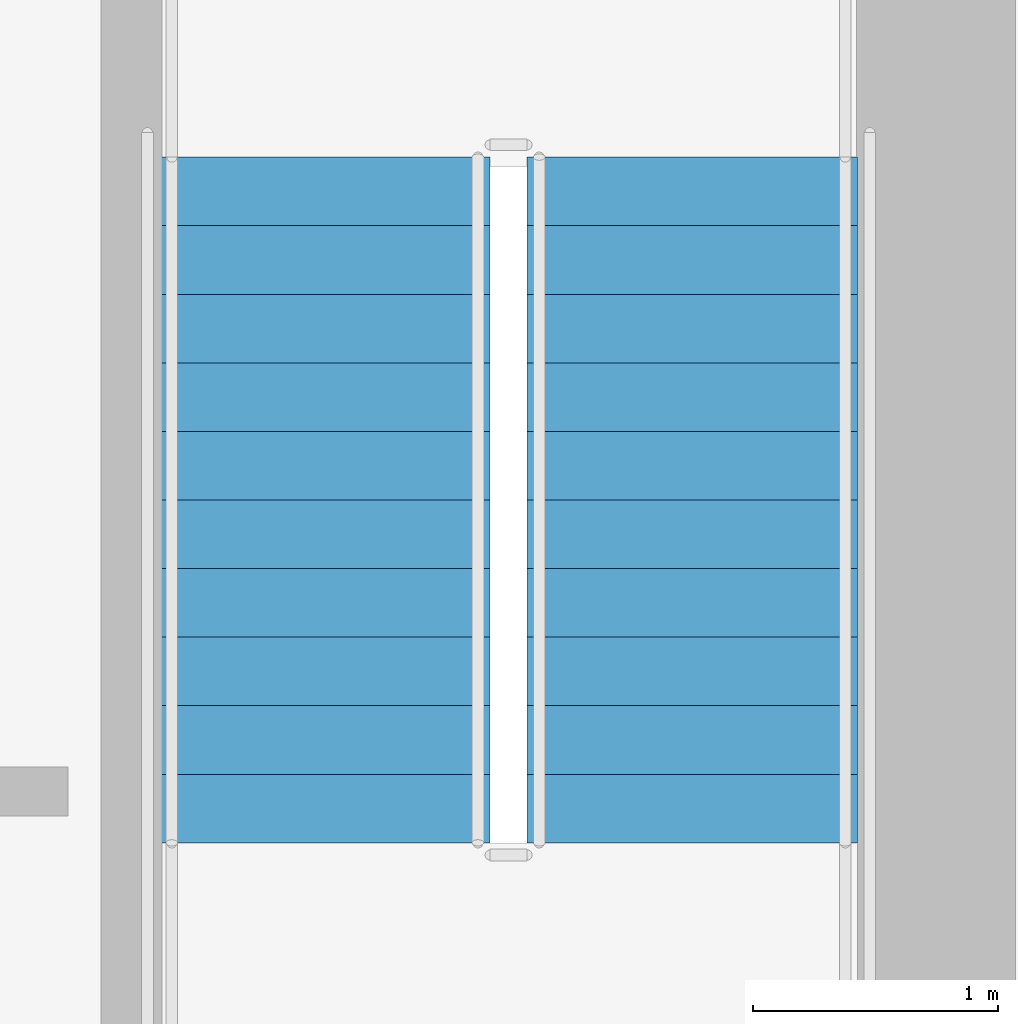
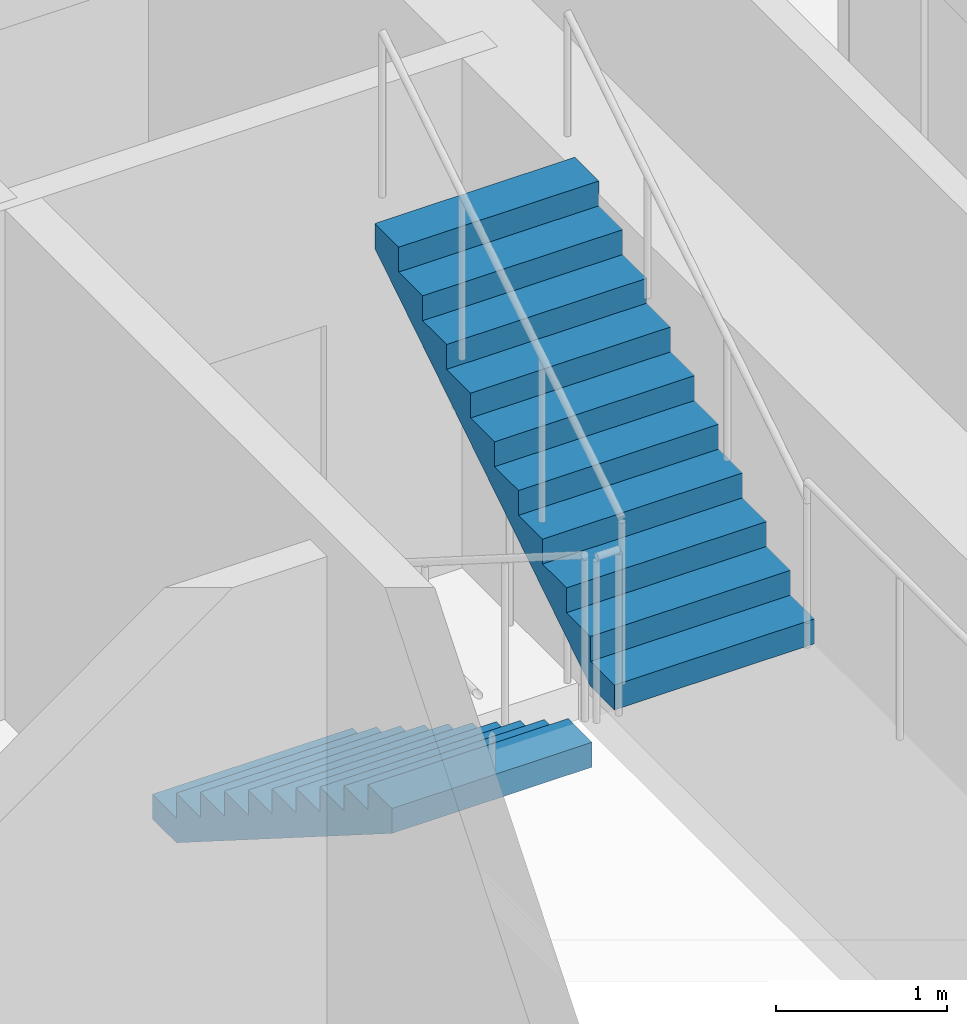
# One storey, part 9 of 11: 2 stair flights, 1 element without a shape of its own.
"""IFC4 building model written with IfcOpenShell, lengths in metres."""

from ifc_helpers import new_model, si_unit, direction, frame, origin, place, context, subcontext, project, spatial, polyline, outline, extrude, material, type_object, element, aggregate, save


model = new_model("IFC4")

# Units and contexts
model_context = context("Model", 3, precision=1e-05, world=origin(), true_north=direction((0.0, 1.0)))
body_context = subcontext(model_context, "Body", "Model", "MODEL_VIEW")
ifc_project = project(units=[si_unit("LENGTHUNIT", "METRE"), si_unit("AREAUNIT", "SQUARE_METRE"), si_unit("VOLUMEUNIT", "CUBIC_METRE"), si_unit("PLANEANGLEUNIT", "RADIAN"), si_unit("MASSUNIT", "GRAM", prefix="KILO")], contexts=[model_context])

# Site, building, storey
site_placement = place(None, origin())
site = spatial("IfcSite", under=ifc_project, at=site_placement, CompositionType="ELEMENT")
building_placement = place(site_placement, origin())
building = spatial("IfcBuilding", under=site, at=building_placement, Name="Voryun Gate Residences", CompositionType="ELEMENT")
storey_placement = place(building_placement, frame((0.0, 0.0, 302.89990234375)))
storey = spatial("IfcBuildingStorey", under=building, at=storey_placement, Name="L75", CompositionType="ELEMENT", Elevation=302.89990234375)

# Stair, stair flights
ifc_material_1 = material(Name="Concrete C40/50", Category="concrete")
stair_type = type_object("IfcStairType", Name="STR_CORE_DOGLEG_1350", PredefinedType="HALF_TURN_STAIR", material=ifc_material_1)
stair_placement = place(storey_placement, origin())
stair = element("IfcStair", 1, at=stair_placement, inside=storey, type_object=stair_type, Name="L75 Special Escape Stair ST-E1", PredefinedType="HALF_TURN_STAIR")
ifc_material_2 = material(Name="Concrete C40/50", Category="concrete")
stair_flight_type = type_object("IfcStairFlightType", Name="FLT_CORE_1350", PredefinedType="STRAIGHT", material=ifc_material_2)
stair_flight_1_placement = place(storey_placement, frame((16.64990234375, -0.800048828125, 0.0), z_axis=(0.0, 0.0, 1.0), x_axis=(0.0, -1.0, 0.0)))
stair_flight_1 = element("IfcStairFlight", 2, at=stair_flight_1_placement, type_object=stair_flight_type, Name="ST-E1 flight 1", NumberOfRisers=11, NumberOfTreads=10, PredefinedType="STRAIGHT", RiserHeight=0.177272727, TreadLength=0.28, context=body_context, shape_type="SweptSolid", body=[
    extrude(outline(polyline([(0.0, 0.0), (0.0, 0.17724609375), (0.280029296875, 0.17724609375), (0.280029296875, 0.3544921875), (0.56005859375, 0.3544921875), (0.56005859375, 0.53173828125), (0.840087890625, 0.53173828125), (0.840087890625, 0.708984375), (1.1201171875, 0.708984375), (1.1201171875, 0.886474609375), (1.39990234375, 0.886474609375), (1.39990234375, 1.063720703125), (1.679931640625, 1.063720703125), (1.679931640625, 1.240966796875), (1.9599609375, 1.240966796875), (1.9599609375, 1.418212890625), (2.239990234375, 1.418212890625), (2.239990234375, 1.595458984375), (2.52001953125, 1.595458984375), (2.52001953125, 1.772705078125), (2.800048828125, 1.772705078125), (2.800048828125, 1.949951171875), (2.800048828125, 1.59521484375), (0.2802734375, 0.0), (0.0, 0.0)])), frame((0.0, 0.675048828125, 0.0), z_axis=(0.0, -1.0, 0.0), x_axis=(1.0, 0.0, 0.0)), (0.0, 0.0, 1.0), 1.35009765625),
])
stair_flight_2_placement = place(storey_placement, frame((18.14990234375, -3.60009765625, 1.9501953125), z_axis=(0.0, 0.0, 1.0), x_axis=(0.0, 1.0, 0.0)))
stair_flight_2 = element("IfcStairFlight", 3, at=stair_flight_2_placement, type_object=stair_flight_type, Name="ST-E1 flight 2", NumberOfRisers=11, NumberOfTreads=10, PredefinedType="STRAIGHT", RiserHeight=0.177272727, TreadLength=0.28, context=body_context, shape_type="SweptSolid", body=[
    extrude(outline(polyline([(0.0, 0.0), (0.0, 0.17724609375), (0.280029296875, 0.17724609375), (0.280029296875, 0.3544921875), (0.56005859375, 0.3544921875), (0.56005859375, 0.53173828125), (0.840087890625, 0.53173828125), (0.840087890625, 0.708984375), (1.1201171875, 0.708984375), (1.1201171875, 0.886474609375), (1.39990234375, 0.886474609375), (1.39990234375, 1.063720703125), (1.679931640625, 1.063720703125), (1.679931640625, 1.240966796875), (1.9599609375, 1.240966796875), (1.9599609375, 1.418212890625), (2.239990234375, 1.418212890625), (2.239990234375, 1.595458984375), (2.52001953125, 1.595458984375), (2.52001953125, 1.772705078125), (2.800048828125, 1.772705078125), (2.800048828125, 1.949951171875), (2.800048828125, 1.59521484375), (0.2802734375, 0.0), (0.0, 0.0)])), frame((0.0, 0.675048828125, 0.0), z_axis=(0.0, -1.0, 0.0), x_axis=(1.0, 0.0, 0.0)), (0.0, 0.0, 1.0), 1.35009765625),
])
aggregate(stair, [stair_flight_1, stair_flight_2])

save(model, "model.ifc")
